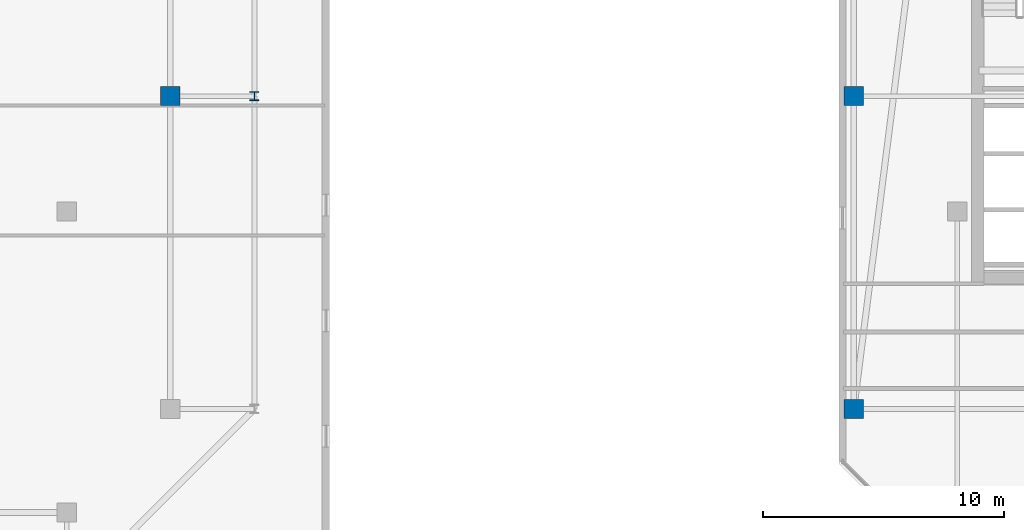
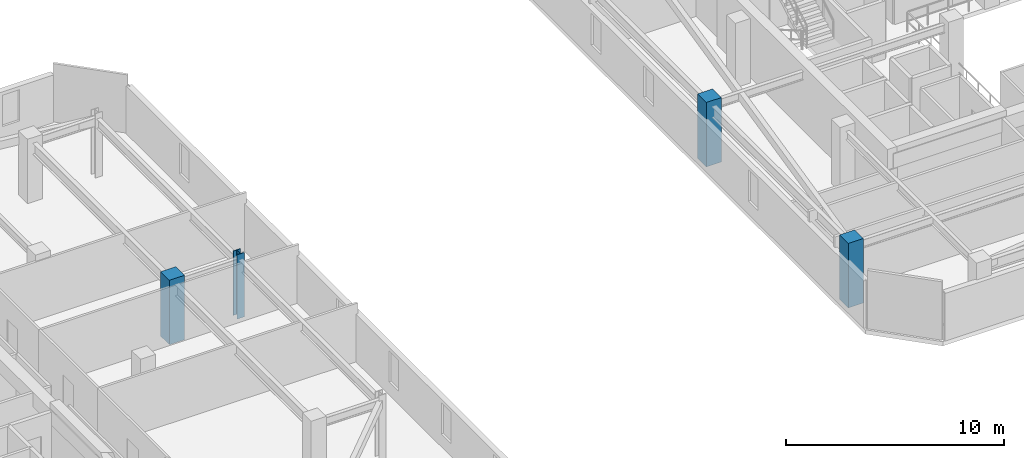
# One storey, part 2 of 35: 4 columns.
"""IFC4 building model written with IfcOpenShell, lengths in metres."""

from ifc_helpers import new_model, si_unit, direction, frame, origin, origin_2d, place, context, subcontext, project, spatial, rectangle, i_section, extrude, material, material_profile, profile_set, type_object, element, save


model = new_model("IFC4")

# Units and contexts
model_context = context("Model", 3, precision=1e-05, world=origin(), true_north=direction((0.0, 1.0)))
body_context = subcontext(model_context, "Body", "Model", "MODEL_VIEW")
ifc_project = project(units=[si_unit("LENGTHUNIT", "METRE"), si_unit("AREAUNIT", "SQUARE_METRE"), si_unit("VOLUMEUNIT", "CUBIC_METRE"), si_unit("PLANEANGLEUNIT", "RADIAN"), si_unit("MASSUNIT", "GRAM", prefix="KILO")], contexts=[model_context])

# Site, building, storey
site_placement = place(None, origin())
site = spatial("IfcSite", under=ifc_project, at=site_placement, CompositionType="ELEMENT")
building_placement = place(site_placement, origin())
building = spatial("IfcBuilding", under=site, at=building_placement, Name="Thornwick Lancets Civic Towers", CompositionType="ELEMENT")
storey_placement = place(building_placement, frame((0.0, 0.0, 276.300048828125)))
storey = spatial("IfcBuildingStorey", under=building, at=storey_placement, Name="L74", CompositionType="ELEMENT", Elevation=276.300048828125)

# Columns
ifc_material_1 = material(Name="Concrete C50/60", Category="concrete")
ifc_material_profile_1 = material_profile(ifc_material_1, rectangle(XDim=0.800048828125, YDim=0.800048828125, at=origin_2d()), Name="RC 800x800")
ifc_profile_set_1 = profile_set([ifc_material_profile_1], Name="Concrete C50/60")
column_type_1 = type_object("IfcColumnType", Name="COL_RC_800", PredefinedType="COLUMN", material=ifc_profile_set_1)
for number, where, z_axis, x_axis, name in (
    (1, (42.800048828125, 27.0, 0.0), (0.0, 0.0, 1.0), (1.0, 0.0, 0.0), "L74 Spine Mega-Column A05"),
    (2, (71.199951171875, 14.0, 0.0), (0.0, 0.0, 1.0), (1.0, 0.0, 0.0), "L74 Spine Mega-Column B07"),
    (3, (71.199951171875, 27.0, 0.0), (0.0, 0.0, 1.0), (1.0, 0.0, 0.0), "L74 Spine Mega-Column B08"),
):
    element("IfcColumn", number, at=place(storey_placement, frame(where, z_axis=z_axis, x_axis=x_axis)), inside=storey, type_object=column_type_1, Name=name, PredefinedType="COLUMN", context=body_context, shape_type="SweptSolid", body=[
        extrude(rectangle(XDim=0.800048828125, YDim=0.800048828125, at=origin_2d()), origin(), (0.0, 0.0, 1.0), 3.599853515625),
    ])
ifc_material_2 = material(Name="Steel S355JR", Category="steel")
ifc_material_profile_2 = material_profile(ifc_material_2, i_section(OverallWidth=0.374755859375, OverallDepth=0.37451171875, WebThickness=0.0166015625, FlangeThickness=0.027099609375, FilletRadius=0.01513671875, at=origin_2d()), Name="UKC 356x368x202")
ifc_profile_set_2 = profile_set([ifc_material_profile_2], Name="Steel S355JR")
column_type_2 = type_object("IfcColumnType", Name="COL_UKC_202", PredefinedType="COLUMN", material=ifc_profile_set_2)
column_placement = place(storey_placement, frame((46.300048828125, 27.0, 0.0), z_axis=(0.0, 0.0, 1.0), x_axis=(1.0, 0.0, 0.0)))
element("IfcColumn", 4, at=column_placement, inside=storey, type_object=column_type_2, Name="L74 Block Perimeter Column A05", PredefinedType="COLUMN", context=body_context, shape_type="SweptSolid", body=[
    extrude(i_section(OverallWidth=0.374755859375, OverallDepth=0.37451171875, WebThickness=0.0166015625, FlangeThickness=0.027099609375, FilletRadius=0.01513671875, at=origin_2d()), origin(), (0.0, 0.0, 1.0), 3.599853515625),
])

save(model, "model.ifc")
